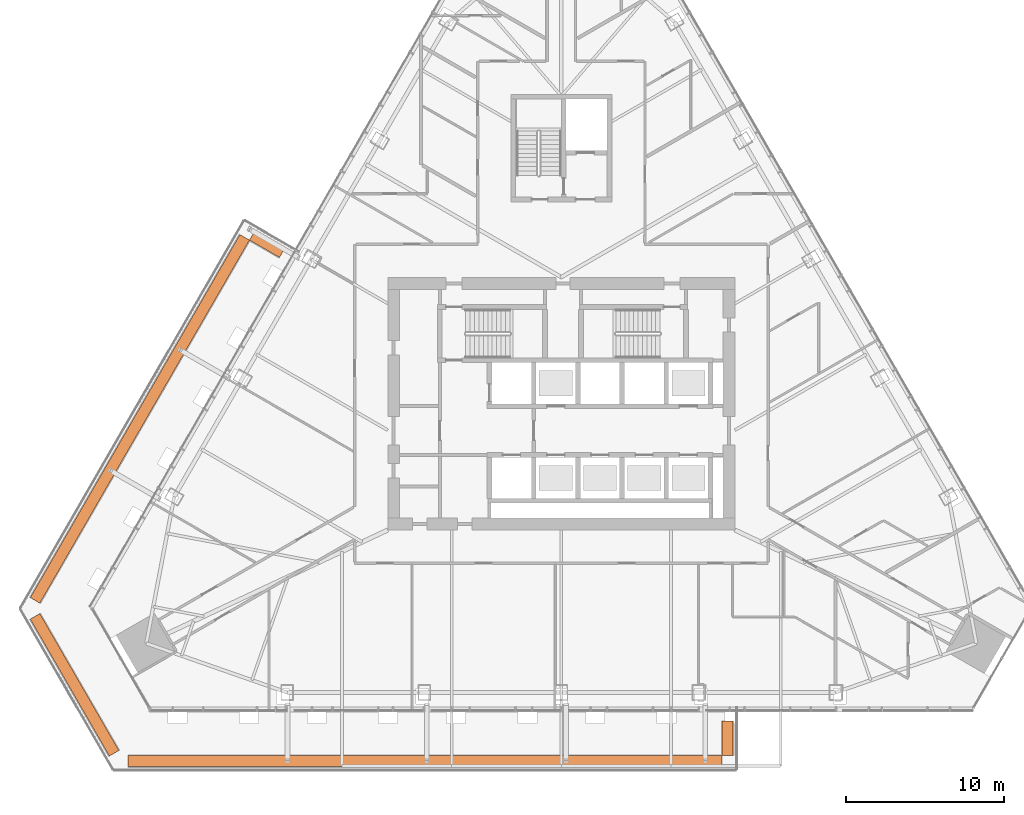
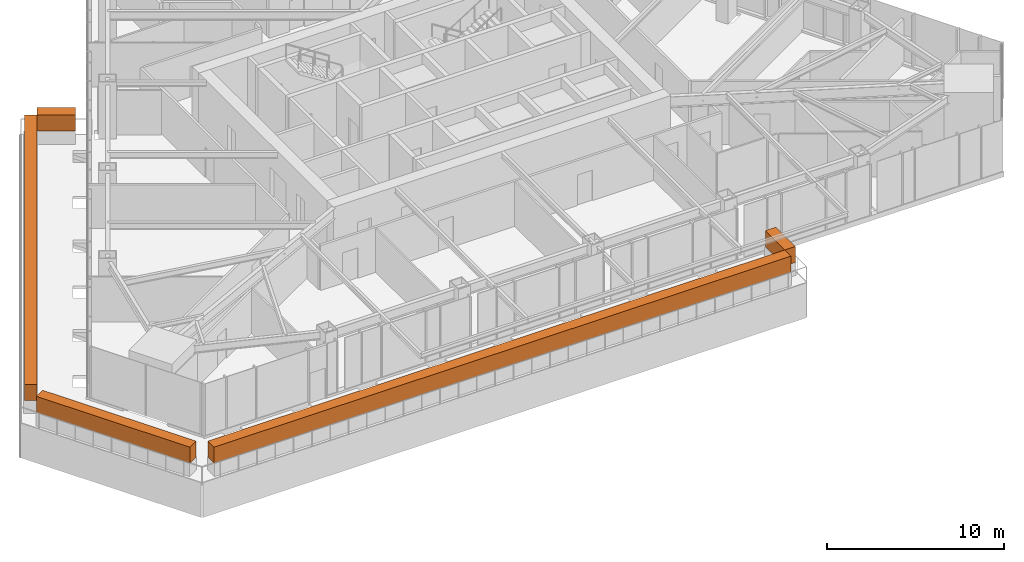
# One storey, part 23 of 23: 5 geographic elements.
"""IFC4 building model written with IfcOpenShell, lengths in metres."""

from ifc_helpers import new_model, si_unit, direction, frame, origin, origin_2d, place, context, subcontext, project, spatial, rectangle, extrude, material, type_object, element, save


model = new_model("IFC4")

# Units and contexts
model_context = context("Model", 3, precision=1e-05, world=origin(), true_north=direction((0.0, 1.0)))
body_context = subcontext(model_context, "Body", "Model", "MODEL_VIEW")
ifc_project = project(units=[si_unit("LENGTHUNIT", "METRE"), si_unit("AREAUNIT", "SQUARE_METRE"), si_unit("VOLUMEUNIT", "CUBIC_METRE"), si_unit("PLANEANGLEUNIT", "RADIAN"), si_unit("MASSUNIT", "GRAM", prefix="KILO")], contexts=[model_context])

# Site, building, storey
site_placement = place(None, origin())
site = spatial("IfcSite", under=ifc_project, at=site_placement, CompositionType="ELEMENT")
building_placement = place(site_placement, origin())
building = spatial("IfcBuilding", under=site, at=building_placement, Name="Firuza Gate Tower and Library", CompositionType="ELEMENT")
storey_placement = place(building_placement, frame((0.0, 0.0, 190.89990234375)))
storey = spatial("IfcBuildingStorey", under=building, at=storey_placement, Name="L44", CompositionType="ELEMENT", Elevation=190.89990234375)

# Geographic elements
ifc_material = material(Name="Foliage")
geographic_element_type = type_object("IfcGeographicElementType", Name="Planted hedge", PredefinedType="USERDEFINED", material=ifc_material)
geographic_element_1_placement = place(storey_placement, frame((56.3642578125, 85.124267578125, 0.900146484375), z_axis=(0.0, 0.0, 1.0), x_axis=(-0.866025403784, 0.5, 0.0)))
element("IfcGeographicElement", 1, at=geographic_element_1_placement, inside=storey, type_object=geographic_element_type, Name="Planted hedge", ObjectType="HEDGE", PredefinedType="USERDEFINED", context=body_context, shape_type="SweptSolid", body=[
    extrude(rectangle(XDim=2.199951171875, YDim=0.699951171875, at=origin_2d()), origin(), (0.0, 0.0, 1.0), 1.10009765625),
])
geographic_element_2_placement = place(storey_placement, frame((48.291748046875, 74.04248046875, 0.900146484375), z_axis=(0.0, 0.0, 1.0), x_axis=(-0.5, -0.866025403784, 0.0)))
element("IfcGeographicElement", 2, at=geographic_element_2_placement, inside=storey, type_object=geographic_element_type, Name="Planted hedge", ObjectType="HEDGE", PredefinedType="USERDEFINED", context=body_context, shape_type="SweptSolid", body=[
    extrude(rectangle(XDim=26.566650390625, YDim=0.699951171875, at=origin_2d()), origin(), (0.0, 0.0, 1.0), 1.10009765625),
])
geographic_element_3_placement = place(storey_placement, frame((44.15478515625, 57.191650390625, 0.900146484375), z_axis=(0.0, 0.0, 1.0), x_axis=(0.5, -0.866025403784, 0.0)))
element("IfcGeographicElement", 3, at=geographic_element_3_placement, inside=storey, type_object=geographic_element_type, Name="Planted hedge", ObjectType="HEDGE", PredefinedType="USERDEFINED", context=body_context, shape_type="SweptSolid", body=[
    extrude(rectangle(XDim=10.018798828125, YDim=0.699951171875, at=origin_2d()), origin(), (0.0, 0.0, 1.0), 1.10009765625),
])
geographic_element_4_placement = place(storey_placement, frame((66.359619140625, 52.348876953125, 0.900146484375), z_axis=(0.0, 0.0, 1.0), x_axis=(1.0, 0.0, 0.0)))
element("IfcGeographicElement", 4, at=geographic_element_4_placement, inside=storey, type_object=geographic_element_type, Name="Planted hedge", ObjectType="HEDGE", PredefinedType="USERDEFINED", context=body_context, shape_type="SweptSolid", body=[
    extrude(rectangle(XDim=37.652587890625, YDim=0.699951171875, at=origin_2d()), origin(), (0.0, 0.0, 1.0), 1.10009765625),
])
geographic_element_5_placement = place(storey_placement, frame((85.535888671875, 53.798828125, 0.900146484375), z_axis=(0.0, 0.0, 1.0), x_axis=(0.0, 1.0, 0.0)))
element("IfcGeographicElement", 5, at=geographic_element_5_placement, inside=storey, type_object=geographic_element_type, Name="Planted hedge", ObjectType="HEDGE", PredefinedType="USERDEFINED", context=body_context, shape_type="SweptSolid", body=[
    extrude(rectangle(XDim=2.199951171875, YDim=0.699951171875, at=origin_2d()), origin(), (0.0, 0.0, 1.0), 1.10009765625),
])

save(model, "model.ifc")
